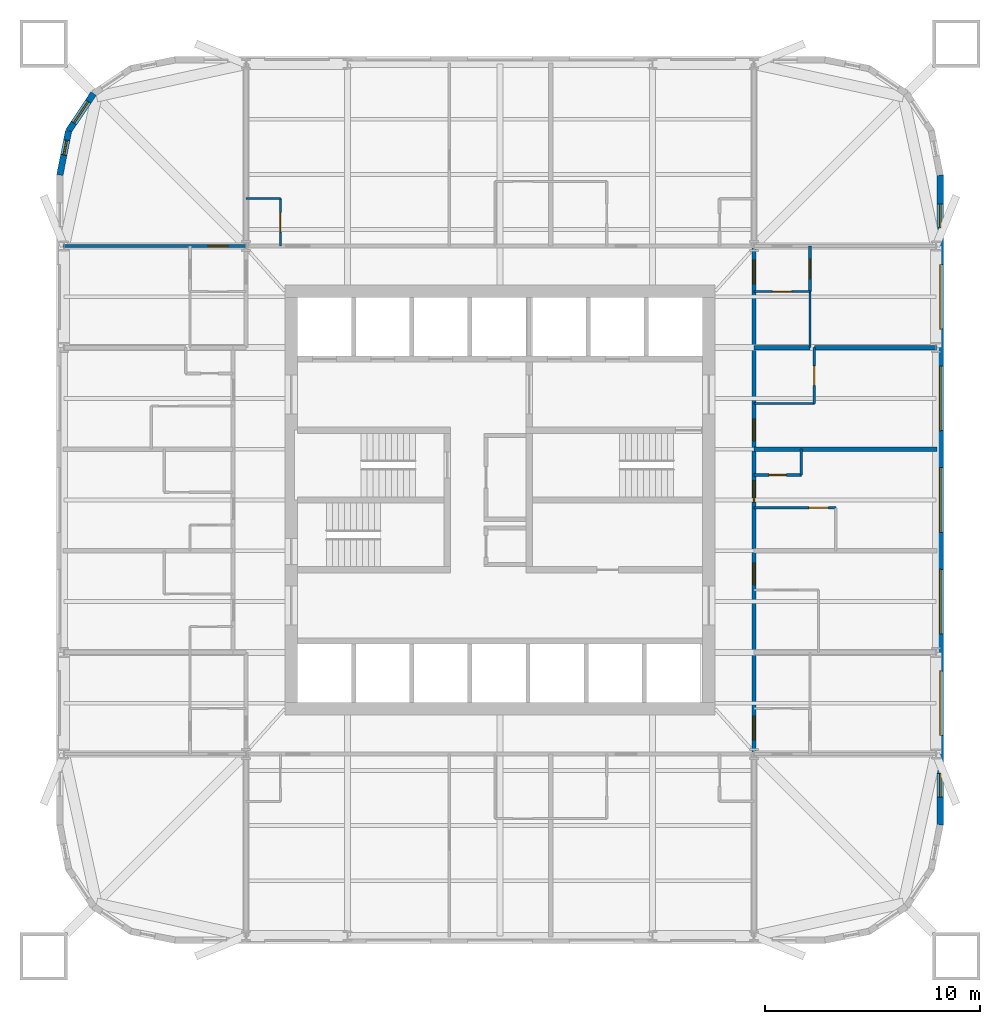
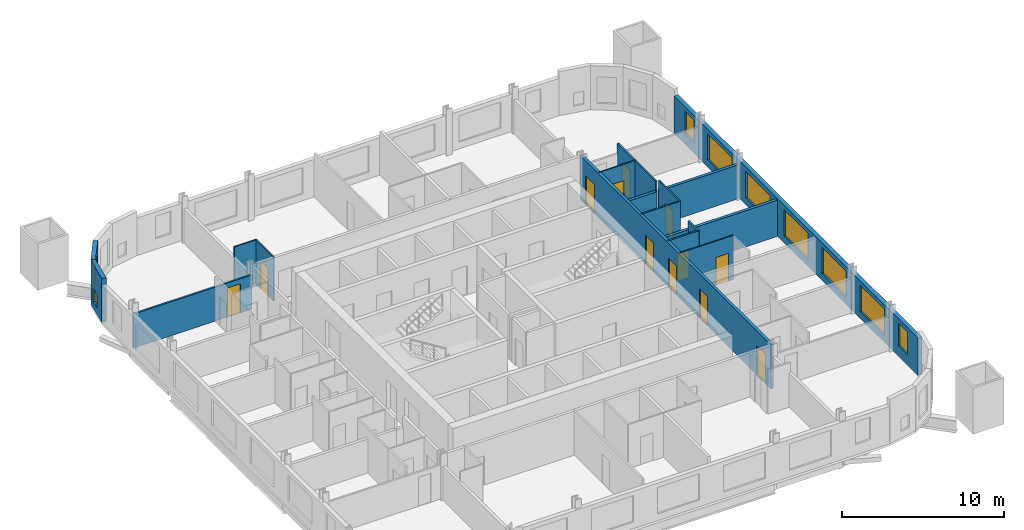
# One storey, part 6 of 9: 18 walls, 12 doors, 9 windows, 21 openings.
"""IFC4 building model written with IfcOpenShell, lengths in metres."""

from ifc_helpers import new_model, si_unit, direction, frame, frame_2d, origin, place, context, subcontext, project, spatial, rectangle, extrude, material, layer, layer_set, type_object, element, fill, save


model = new_model("IFC4")

# Units and contexts
model_context = context("Model", 3, precision=1e-05, world=origin(), true_north=direction((0.0, 1.0)))
body_context = subcontext(model_context, "Body", "Model", "MODEL_VIEW")
ifc_project = project(units=[si_unit("LENGTHUNIT", "METRE"), si_unit("AREAUNIT", "SQUARE_METRE"), si_unit("VOLUMEUNIT", "CUBIC_METRE"), si_unit("PLANEANGLEUNIT", "RADIAN"), si_unit("MASSUNIT", "GRAM", prefix="KILO")], contexts=[model_context])

# Site, building, storey
site_placement = place(None, origin())
site = spatial("IfcSite", under=ifc_project, at=site_placement, CompositionType="ELEMENT")
building_placement = place(site_placement, origin())
building = spatial("IfcBuilding", under=site, at=building_placement, Name="Turquesa Mirador Hotel Tower", CompositionType="ELEMENT")
storey_placement = place(building_placement, frame((0.0, 0.0, 145.89990234375)))
storey = spatial("IfcBuildingStorey", under=building, at=storey_placement, Name="L39", CompositionType="ELEMENT", Elevation=145.89990234375)

# Wall, opening, door
ifc_material_1 = material(Name="Gypsum board on steel studs", Category="steel")
ifc_layer_1 = layer(ifc_material_1, 0.10009765625)
ifc_layer_set_1 = layer_set([ifc_layer_1], Name="BATHROOM WALL 100")
wall_type_1 = type_object("IfcWallType", Name="BATHROOM WALL 100", PredefinedType="PARTITIONING", material=ifc_layer_set_1)
wall_1_placement = place(storey_placement, frame((66.800048828125, 44.639892578125, 0.0), z_axis=(0.0, 0.0, 1.0), x_axis=(1.0, 0.0, 0.0)))
wall_1 = element("IfcWall", 1, at=wall_1_placement, inside=storey, type_object=wall_type_1, Name="Partition L39 001", PredefinedType="PARTITIONING", context=body_context, shape_type="SweptSolid", body=[
    extrude(rectangle(XDim=3.800048828125, YDim=0.10009765625, at=frame_2d((1.89990234375, 0.0))), origin(), (0.0, 0.0, 1.0), 3.330078125),
])
opening_1_placement = place(wall_1_placement, frame((2.550048828125, 0.0, 0.0)))
opening_1 = element("IfcOpeningElement", 2, at=opening_1_placement, cuts=wall_1, Name="Opening D02", PredefinedType="OPENING", context=body_context, shape_type="SweptSolid", body=[
    extrude(rectangle(XDim=0.89990234375, YDim=2.10009765625, at=frame_2d((0.449951171875, 1.050048828125))), frame((0.0, 0.06005859375, 0.0), z_axis=(0.0, -1.0, 0.0), x_axis=(1.0, 0.0, 0.0)), (0.0, 0.0, 1.0), 0.1201171875),
])
ifc_material_2 = material(Name="Timber veneered door", Category="wood")
door_type_1 = type_object("IfcDoorType", Name="DOOR 900X2100 EN-SUITE", OperationType="SINGLE_SWING_RIGHT", PredefinedType="DOOR", material=ifc_material_2)
door_1_placement = place(opening_1_placement, origin())
door_1 = element("IfcDoor", 3, at=door_1_placement, inside=storey, type_object=door_type_1, Name="Door 3906B", OperationType="SINGLE_SWING_RIGHT", OverallHeight=2.10009765625, OverallWidth=0.89990234375, PredefinedType="DOOR", context=body_context, shape_type="SweptSolid", body=[
    extrude(rectangle(XDim=0.89990234375, YDim=2.10009765625, at=frame_2d((0.449951171875, 1.050048828125))), frame((0.0, 0.02490234375, 0.0), z_axis=(0.0, -1.0, 0.0), x_axis=(1.0, 0.0, 0.0)), (0.0, 0.0, 1.0), 0.050048828125),
])
fill(opening_1, door_1)

# Walls
wall_2_placement = place(storey_placement, frame((43.199951171875, 59.0, 0.0), z_axis=(0.0, 0.0, 1.0), x_axis=(1.0, 0.0, 0.0)))
element("IfcWall", 4, at=wall_2_placement, inside=storey, type_object=wall_type_1, Name="Partition L39 024", PredefinedType="PARTITIONING", context=body_context, shape_type="SweptSolid", body=[
    extrude(rectangle(XDim=1.60009765625, YDim=0.10009765625, at=frame_2d((0.800048828125, 0.0))), origin(), (0.0, 0.0, 1.0), 3.330078125),
])
wall_3_placement = place(storey_placement, frame((66.800048828125, 49.47998046875, 0.0), z_axis=(0.0, 0.0, 1.0), x_axis=(1.0, 0.0, 0.0)))
element("IfcWall", 5, at=wall_3_placement, inside=storey, type_object=wall_type_1, Name="Partition L39 030", PredefinedType="PARTITIONING", context=body_context, shape_type="SweptSolid", body=[
    extrude(rectangle(XDim=2.800048828125, YDim=0.10009765625, at=frame_2d((1.39990234375, 0.0))), origin(), (0.0, 0.0, 1.0), 3.330078125),
])

# Wall, opening, door
wall_4_placement = place(storey_placement, frame((66.800048828125, 54.679931640625, 0.0), z_axis=(0.0, 0.0, 1.0), x_axis=(1.0, 0.0, 0.0)))
wall_4 = element("IfcWall", 6, at=wall_4_placement, inside=storey, type_object=wall_type_1, Name="Partition L39 038", PredefinedType="PARTITIONING", context=body_context, shape_type="SweptSolid", body=[
    extrude(rectangle(XDim=2.599853515625, YDim=0.10009765625, at=frame_2d((1.2998046875, 0.0))), origin(), (0.0, 0.0, 1.0), 3.330078125),
])
opening_2_placement = place(wall_4_placement, frame((0.85009765625, 0.0, 0.0)))
opening_2 = element("IfcOpeningElement", 7, at=opening_2_placement, cuts=wall_4, Name="Opening D02", PredefinedType="OPENING", context=body_context, shape_type="SweptSolid", body=[
    extrude(rectangle(XDim=0.89990234375, YDim=2.10009765625, at=frame_2d((0.449951171875, 1.050048828125))), frame((0.0, 0.06005859375, 0.0), z_axis=(0.0, -1.0, 0.0), x_axis=(1.0, 0.0, 0.0)), (0.0, 0.0, 1.0), 0.1201171875),
])
door_2_placement = place(opening_2_placement, origin())
door_2 = element("IfcDoor", 8, at=door_2_placement, inside=storey, type_object=door_type_1, Name="Door 3911B", OperationType="SINGLE_SWING_RIGHT", OverallHeight=2.10009765625, OverallWidth=0.89990234375, PredefinedType="DOOR", context=body_context, shape_type="SweptSolid", body=[
    extrude(rectangle(XDim=0.89990234375, YDim=2.10009765625, at=frame_2d((0.449951171875, 1.050048828125))), frame((0.0, 0.02490234375, 0.0), z_axis=(0.0, -1.0, 0.0), x_axis=(1.0, 0.0, 0.0)), (0.0, 0.0, 1.0), 0.050048828125),
])
fill(opening_2, door_2)

wall_5_placement = place(storey_placement, frame((44.800048828125, 56.800048828125, 0.0), z_axis=(0.0, 0.0, 1.0), x_axis=(0.0, 1.0, 0.0)))
wall_5 = element("IfcWall", 9, at=wall_5_placement, inside=storey, type_object=wall_type_1, Name="Partition L39 042", PredefinedType="PARTITIONING", context=body_context, shape_type="SweptSolid", body=[
    extrude(rectangle(XDim=2.199951171875, YDim=0.10009765625, at=frame_2d((1.10009765625, 0.0))), origin(), (0.0, 0.0, 1.0), 3.330078125),
])
opening_3_placement = place(wall_5_placement, frame((0.64990234375, 0.0, 0.0)))
opening_3 = element("IfcOpeningElement", 10, at=opening_3_placement, cuts=wall_5, Name="Opening D06", PredefinedType="OPENING", context=body_context, shape_type="SweptSolid", body=[
    extrude(rectangle(XDim=0.89990234375, YDim=2.10009765625, at=frame_2d((0.449951171875, 1.050048828125))), frame((0.0, 0.06005859375, 0.0), z_axis=(0.0, -1.0, 0.0), x_axis=(1.0, 0.0, 0.0)), (0.0, 0.0, 1.0), 0.1201171875),
])
ifc_material_3 = material(Name="Laminate door", Category="wood")
door_type_2 = type_object("IfcDoorType", Name="DOOR 900X2100 WC", OperationType="SINGLE_SWING_LEFT", PredefinedType="DOOR", material=ifc_material_3)
door_3_placement = place(opening_3_placement, origin())
door_3 = element("IfcDoor", 11, at=door_3_placement, inside=storey, type_object=door_type_2, Name="Door 3901W", OperationType="SINGLE_SWING_LEFT", OverallHeight=2.10009765625, OverallWidth=0.89990234375, PredefinedType="DOOR", context=body_context, shape_type="SweptSolid", body=[
    extrude(rectangle(XDim=0.89990234375, YDim=2.10009765625, at=frame_2d((0.449951171875, 1.050048828125))), frame((0.0, 0.02490234375, 0.0), z_axis=(0.0, -1.0, 0.0), x_axis=(1.0, 0.0, 0.0)), (0.0, 0.0, 1.0), 0.050048828125),
])
fill(opening_3, door_3)

# Wall
wall_6_placement = place(storey_placement, frame((69.39990234375, 52.080078125, 0.0), z_axis=(0.0, 0.0, 1.0), x_axis=(0.0, 1.0, 0.0)))
element("IfcWall", 12, at=wall_6_placement, inside=storey, type_object=wall_type_1, Name="Partition L39 066", PredefinedType="PARTITIONING", context=body_context, shape_type="SweptSolid", body=[
    extrude(rectangle(XDim=2.599853515625, YDim=0.10009765625, at=frame_2d((1.2998046875, 0.0))), origin(), (0.0, 0.0, 1.0), 3.330078125),
])

# Wall, opening, door
wall_7_placement = place(storey_placement, frame((69.60009765625, 49.47998046875, 0.0), z_axis=(0.0, 0.0, 1.0), x_axis=(0.0, 1.0, 0.0)))
wall_7 = element("IfcWall", 13, at=wall_7_placement, inside=storey, type_object=wall_type_1, Name="Partition L39 069", PredefinedType="PARTITIONING", context=body_context, shape_type="SweptSolid", body=[
    extrude(rectangle(XDim=2.60009765625, YDim=0.10009765625, at=frame_2d((1.300048828125, 0.0))), origin(), (0.0, 0.0, 1.0), 3.330078125),
])
opening_4_placement = place(wall_7_placement, frame((0.85009765625, 0.0, 0.0)))
opening_4 = element("IfcOpeningElement", 14, at=opening_4_placement, cuts=wall_7, Name="Opening D02", PredefinedType="OPENING", context=body_context, shape_type="SweptSolid", body=[
    extrude(rectangle(XDim=0.89990234375, YDim=2.10009765625, at=frame_2d((0.449951171875, 1.050048828125))), frame((0.0, 0.06005859375, 0.0), z_axis=(0.0, -1.0, 0.0), x_axis=(1.0, 0.0, 0.0)), (0.0, 0.0, 1.0), 0.1201171875),
])
door_4_placement = place(opening_4_placement, origin())
door_4 = element("IfcDoor", 15, at=door_4_placement, inside=storey, type_object=door_type_1, Name="Door 3907B", OperationType="SINGLE_SWING_RIGHT", OverallHeight=2.10009765625, OverallWidth=0.89990234375, PredefinedType="DOOR", context=body_context, shape_type="SweptSolid", body=[
    extrude(rectangle(XDim=0.89990234375, YDim=2.10009765625, at=frame_2d((0.449951171875, 1.050048828125))), frame((0.0, 0.02490234375, 0.0), z_axis=(0.0, -1.0, 0.0), x_axis=(1.0, 0.0, 0.0)), (0.0, 0.0, 1.0), 0.050048828125),
])
fill(opening_4, door_4)

# Wall, openings, doors
ifc_material_4 = material(Name="Fire-rated gypsum board on steel studs", Category="steel")
ifc_layer_2 = layer(ifc_material_4, 0.199951171875)
ifc_layer_set_2 = layer_set([ifc_layer_2], Name="CORRIDOR WALL 200")
wall_type_2 = type_object("IfcWallType", Name="CORRIDOR WALL 200", PredefinedType="PARTITIONING", material=ifc_layer_set_2)
wall_8_placement = place(storey_placement, frame((66.800048828125, 33.199951171875, 0.0), z_axis=(0.0, 0.0, 1.0), x_axis=(0.0, 1.0, 0.0)))
wall_8 = element("IfcWall", 16, at=wall_8_placement, inside=storey, type_object=wall_type_2, Name="Partition L39 061", PredefinedType="PARTITIONING", context=body_context, shape_type="SweptSolid", body=[
    extrude(rectangle(XDim=23.60009765625, YDim=0.199951171875, at=frame_2d((11.800048828125, 0.0))), origin(), (0.0, 0.0, 1.0), 3.330078125),
])
opening_5_placement = place(wall_8_placement, frame((7.8701171875, 0.0, 0.0)))
opening_5 = element("IfcOpeningElement", 17, at=opening_5_placement, cuts=wall_8, Name="Opening D01", PredefinedType="OPENING", context=body_context, shape_type="SweptSolid", body=[
    extrude(rectangle(XDim=1.0, YDim=2.199951171875, at=frame_2d((0.5, 1.10009765625))), frame((0.0, 0.10986328125, 0.0), z_axis=(0.0, -1.0, 0.0), x_axis=(1.0, 0.0, 0.0)), (0.0, 0.0, 1.0), 0.219970703125),
])
opening_6_placement = place(wall_8_placement, frame((11.699951171875, 0.0, 0.0)))
opening_6 = element("IfcOpeningElement", 18, at=opening_6_placement, cuts=wall_8, Name="Opening D01", PredefinedType="OPENING", context=body_context, shape_type="SweptSolid", body=[
    extrude(rectangle(XDim=1.0, YDim=2.199951171875, at=frame_2d((0.5, 1.10009765625))), frame((0.0, 0.10986328125, 0.0), z_axis=(0.0, -1.0, 0.0), x_axis=(1.0, 0.0, 0.0)), (0.0, 0.0, 1.0), 0.219970703125),
])
opening_7_placement = place(wall_8_placement, frame((14.56005859375, 0.0, 0.0)))
opening_7 = element("IfcOpeningElement", 19, at=opening_7_placement, cuts=wall_8, Name="Opening D01", PredefinedType="OPENING", context=body_context, shape_type="SweptSolid", body=[
    extrude(rectangle(XDim=1.0, YDim=2.199951171875, at=frame_2d((0.5, 1.10009765625))), frame((0.0, 0.10986328125, 0.0), z_axis=(0.0, -1.0, 0.0), x_axis=(1.0, 0.0, 0.0)), (0.0, 0.0, 1.0), 0.219970703125),
])
opening_8_placement = place(wall_8_placement, frame((21.840087890625, 0.0, 0.0)))
opening_8 = element("IfcOpeningElement", 20, at=opening_8_placement, cuts=wall_8, Name="Opening D15", PredefinedType="OPENING", context=body_context, shape_type="SweptSolid", body=[
    extrude(rectangle(XDim=1.10009765625, YDim=2.199951171875, at=frame_2d((0.550048828125, 1.10009765625))), frame((0.0, 0.10986328125, 0.0), z_axis=(0.0, -1.0, 0.0), x_axis=(1.0, 0.0, 0.0)), (0.0, 0.0, 1.0), 0.219970703125),
])
opening_9_placement = place(wall_8_placement, frame((0.659912109375, 0.0, 0.0)))
opening_9 = element("IfcOpeningElement", 21, at=opening_9_placement, cuts=wall_8, Name="Opening D15", PredefinedType="OPENING", context=body_context, shape_type="SweptSolid", body=[
    extrude(rectangle(XDim=1.10009765625, YDim=2.199951171875, at=frame_2d((0.550048828125, 1.10009765625))), frame((0.0, 0.10986328125, 0.0), z_axis=(0.0, -1.0, 0.0), x_axis=(1.0, 0.0, 0.0)), (0.0, 0.0, 1.0), 0.219970703125),
])
ifc_material_5 = material(Name="Timber veneered fire door", Category="wood")
door_type_3 = type_object("IfcDoorType", Name="DOOR 1000X2200 GUEST ENTRY", OperationType="SINGLE_SWING_LEFT", PredefinedType="DOOR", material=ifc_material_5)
door_5_placement = place(opening_5_placement, origin())
door_5 = element("IfcDoor", 22, at=door_5_placement, inside=storey, type_object=door_type_3, Name="Door 3905", OperationType="SINGLE_SWING_LEFT", OverallHeight=2.199951171875, OverallWidth=1.0, PredefinedType="DOOR", context=body_context, shape_type="SweptSolid", body=[
    extrude(rectangle(XDim=1.0, YDim=2.199951171875, at=frame_2d((0.5, 1.10009765625))), frame((0.0, 0.02490234375, 0.0), z_axis=(0.0, -1.0, 0.0), x_axis=(1.0, 0.0, 0.0)), (0.0, 0.0, 1.0), 0.050048828125),
])
fill(opening_5, door_5)
door_6_placement = place(opening_6_placement, origin())
door_6 = element("IfcDoor", 23, at=door_6_placement, inside=storey, type_object=door_type_3, Name="Door 3906", OperationType="SINGLE_SWING_LEFT", OverallHeight=2.199951171875, OverallWidth=1.0, PredefinedType="DOOR", context=body_context, shape_type="SweptSolid", body=[
    extrude(rectangle(XDim=1.0, YDim=2.199951171875, at=frame_2d((0.5, 1.10009765625))), frame((0.0, 0.02490234375, 0.0), z_axis=(0.0, -1.0, 0.0), x_axis=(1.0, 0.0, 0.0)), (0.0, 0.0, 1.0), 0.050048828125),
])
fill(opening_6, door_6)
door_7_placement = place(opening_7_placement, origin())
door_7 = element("IfcDoor", 24, at=door_7_placement, inside=storey, type_object=door_type_3, Name="Door 3907", OperationType="SINGLE_SWING_LEFT", OverallHeight=2.199951171875, OverallWidth=1.0, PredefinedType="DOOR", context=body_context, shape_type="SweptSolid", body=[
    extrude(rectangle(XDim=1.0, YDim=2.199951171875, at=frame_2d((0.5, 1.10009765625))), frame((0.0, 0.02490234375, 0.0), z_axis=(0.0, -1.0, 0.0), x_axis=(1.0, 0.0, 0.0)), (0.0, 0.0, 1.0), 0.050048828125),
])
fill(opening_7, door_7)
ifc_material_6 = material(Name="Timber veneered fire door", Category="wood")
door_type_4 = type_object("IfcDoorType", Name="DOOR 1100X2200 SUITE ENTRY", OperationType="SINGLE_SWING_LEFT", PredefinedType="DOOR", material=ifc_material_6)
door_8_placement = place(opening_8_placement, origin())
door_8 = element("IfcDoor", 25, at=door_8_placement, inside=storey, type_object=door_type_4, Name="Door 3911H", OperationType="SINGLE_SWING_LEFT", OverallHeight=2.199951171875, OverallWidth=1.10009765625, PredefinedType="DOOR", context=body_context, shape_type="SweptSolid", body=[
    extrude(rectangle(XDim=1.10009765625, YDim=2.199951171875, at=frame_2d((0.550048828125, 1.10009765625))), frame((0.0, 0.02490234375, 0.0), z_axis=(0.0, -1.0, 0.0), x_axis=(1.0, 0.0, 0.0)), (0.0, 0.0, 1.0), 0.050048828125),
])
fill(opening_8, door_8)
door_9_placement = place(opening_9_placement, origin())
door_9 = element("IfcDoor", 26, at=door_9_placement, inside=storey, type_object=door_type_4, Name="Door 3914H", OperationType="SINGLE_SWING_LEFT", OverallHeight=2.199951171875, OverallWidth=1.10009765625, PredefinedType="DOOR", context=body_context, shape_type="SweptSolid", body=[
    extrude(rectangle(XDim=1.10009765625, YDim=2.199951171875, at=frame_2d((0.550048828125, 1.10009765625))), frame((0.0, 0.02490234375, 0.0), z_axis=(0.0, -1.0, 0.0), x_axis=(1.0, 0.0, 0.0)), (0.0, 0.0, 1.0), 0.050048828125),
])
fill(opening_9, door_9)

# Wall, openings, windows
ifc_material_7 = material(Name="Limestone cladding on concrete block", Category="masonry")
ifc_layer_3 = layer(ifc_material_7, 0.300048828125)
ifc_layer_set_3 = layer_set([ifc_layer_3], Name="FACADE WALL 300 STONE SCREEN")
wall_type_3 = type_object("IfcWallType", Name="FACADE WALL 300 STONE SCREEN", PredefinedType="SOLIDWALL", material=ifc_layer_set_3)
wall_9_placement = place(storey_placement, frame((75.449951171875, 29.89990234375, 0.0), z_axis=(0.0, 0.0, 1.0), x_axis=(0.0, 1.0, 0.0)))
wall_9 = element("IfcWall", 27, at=wall_9_placement, inside=storey, type_object=wall_type_3, Name="Facade wall L39 04", PredefinedType="SOLIDWALL", context=body_context, shape_type="SweptSolid", body=[
    extrude(rectangle(XDim=30.2001953125, YDim=0.300048828125, at=frame_2d((15.10009765625, 0.0))), origin(), (0.0, 0.0, 1.0), 2.830078125),
])
opening_10_placement = place(wall_9_placement, frame((1.300048828125, 0.0, 0.800048828125)))
opening_10 = element("IfcOpeningElement", 28, at=opening_10_placement, cuts=wall_9, Name="Opening WN26", PredefinedType="OPENING", context=body_context, shape_type="SweptSolid", body=[
    extrude(rectangle(XDim=1.10009765625, YDim=1.699951171875, at=frame_2d((0.550048828125, 0.85009765625))), frame((0.0, 0.159912109375, 0.0), z_axis=(0.0, -1.0, 0.0), x_axis=(1.0, 0.0, 0.0)), (0.0, 0.0, 1.0), 0.320068359375),
])
opening_11_placement = place(wall_9_placement, frame((4.159912109375, 0.0, 0.5)))
opening_11 = element("IfcOpeningElement", 29, at=opening_11_placement, cuts=wall_9, Name="Opening WN1", PredefinedType="OPENING", context=body_context, shape_type="SweptSolid", body=[
    extrude(rectangle(XDim=3.0, YDim=2.0, at=frame_2d((1.5, 1.0))), frame((0.0, 0.159912109375, 0.0), z_axis=(0.0, -1.0, 0.0), x_axis=(1.0, 0.0, 0.0)), (0.0, 0.0, 1.0), 0.320068359375),
])
opening_12_placement = place(wall_9_placement, frame((8.8798828125, 0.0, 0.5)))
opening_12 = element("IfcOpeningElement", 30, at=opening_12_placement, cuts=wall_9, Name="Opening WN1", PredefinedType="OPENING", context=body_context, shape_type="SweptSolid", body=[
    extrude(rectangle(XDim=3.0, YDim=2.0, at=frame_2d((1.5, 1.0))), frame((0.0, 0.159912109375, 0.0), z_axis=(0.0, -1.0, 0.0), x_axis=(1.0, 0.0, 0.0)), (0.0, 0.0, 1.0), 0.320068359375),
])
opening_13_placement = place(wall_9_placement, frame((13.60009765625, 0.0, 0.5)))
opening_13 = element("IfcOpeningElement", 31, at=opening_13_placement, cuts=wall_9, Name="Opening WN1", PredefinedType="OPENING", context=body_context, shape_type="SweptSolid", body=[
    extrude(rectangle(XDim=3.0, YDim=2.0, at=frame_2d((1.5, 1.0))), frame((0.0, 0.159912109375, 0.0), z_axis=(0.0, -1.0, 0.0), x_axis=(1.0, 0.0, 0.0)), (0.0, 0.0, 1.0), 0.320068359375),
])
opening_14_placement = place(wall_9_placement, frame((18.320068359375, 0.0, 0.5)))
opening_14 = element("IfcOpeningElement", 32, at=opening_14_placement, cuts=wall_9, Name="Opening WN1", PredefinedType="OPENING", context=body_context, shape_type="SweptSolid", body=[
    extrude(rectangle(XDim=3.0, YDim=2.0, at=frame_2d((1.5, 1.0))), frame((0.0, 0.159912109375, 0.0), z_axis=(0.0, -1.0, 0.0), x_axis=(1.0, 0.0, 0.0)), (0.0, 0.0, 1.0), 0.320068359375),
])
opening_15_placement = place(wall_9_placement, frame((23.0400390625, 0.0, 0.5)))
opening_15 = element("IfcOpeningElement", 33, at=opening_15_placement, cuts=wall_9, Name="Opening WN1", PredefinedType="OPENING", context=body_context, shape_type="SweptSolid", body=[
    extrude(rectangle(XDim=3.0, YDim=2.0, at=frame_2d((1.5, 1.0))), frame((0.0, 0.159912109375, 0.0), z_axis=(0.0, -1.0, 0.0), x_axis=(1.0, 0.0, 0.0)), (0.0, 0.0, 1.0), 0.320068359375),
])
opening_16_placement = place(wall_9_placement, frame((27.75, 0.0, 0.800048828125)))
opening_16 = element("IfcOpeningElement", 34, at=opening_16_placement, cuts=wall_9, Name="Opening WN26", PredefinedType="OPENING", context=body_context, shape_type="SweptSolid", body=[
    extrude(rectangle(XDim=1.10009765625, YDim=1.699951171875, at=frame_2d((0.550048828125, 0.85009765625))), frame((0.0, 0.159912109375, 0.0), z_axis=(0.0, -1.0, 0.0), x_axis=(1.0, 0.0, 0.0)), (0.0, 0.0, 1.0), 0.320068359375),
])
ifc_material_8 = material(Name="Ceramic-fritted laminated glass", Category="glass")
window_type_1 = type_object("IfcWindowType", Name="FRITTED WINDOW 1100X1700", PartitioningType="DOUBLE_PANEL_HORIZONTAL", PredefinedType="WINDOW", material=ifc_material_8)
window_1_placement = place(opening_10_placement, origin())
window_1 = element("IfcWindow", 35, at=window_1_placement, inside=storey, type_object=window_type_1, Name="Window L39", OverallHeight=1.699951171875, OverallWidth=1.10009765625, PartitioningType="SINGLE_PANEL", PredefinedType="WINDOW", context=body_context, shape_type="SweptSolid", body=[
    extrude(rectangle(XDim=1.10009765625, YDim=1.699951171875, at=frame_2d((0.550048828125, 0.85009765625))), frame((0.0, 0.030029296875, 0.0), z_axis=(0.0, -1.0, 0.0), x_axis=(1.0, 0.0, 0.0)), (0.0, 0.0, 1.0), 0.06005859375),
])
fill(opening_10, window_1)
window_2_placement = place(opening_16_placement, origin())
window_2 = element("IfcWindow", 36, at=window_2_placement, inside=storey, type_object=window_type_1, Name="Window L39", OverallHeight=1.699951171875, OverallWidth=1.10009765625, PartitioningType="SINGLE_PANEL", PredefinedType="WINDOW", context=body_context, shape_type="SweptSolid", body=[
    extrude(rectangle(XDim=1.10009765625, YDim=1.699951171875, at=frame_2d((0.550048828125, 0.85009765625))), frame((0.0, 0.030029296875, 0.0), z_axis=(0.0, -1.0, 0.0), x_axis=(1.0, 0.0, 0.0)), (0.0, 0.0, 1.0), 0.06005859375),
])
fill(opening_16, window_2)
ifc_material_9 = material(Name="Ceramic-fritted laminated glass", Category="glass")
window_type_2 = type_object("IfcWindowType", Name="FRITTED WINDOW 3000X2000", PartitioningType="DOUBLE_PANEL_HORIZONTAL", PredefinedType="WINDOW", material=ifc_material_9)
window_3_placement = place(opening_11_placement, origin())
window_3 = element("IfcWindow", 37, at=window_3_placement, inside=storey, type_object=window_type_2, Name="Window L39", OverallHeight=2.0, OverallWidth=3.0, PartitioningType="SINGLE_PANEL", PredefinedType="WINDOW", context=body_context, shape_type="SweptSolid", body=[
    extrude(rectangle(XDim=3.0, YDim=2.0, at=frame_2d((1.5, 1.0))), frame((0.0, 0.030029296875, 0.0), z_axis=(0.0, -1.0, 0.0), x_axis=(1.0, 0.0, 0.0)), (0.0, 0.0, 1.0), 0.06005859375),
])
fill(opening_11, window_3)
window_4_placement = place(opening_12_placement, origin())
window_4 = element("IfcWindow", 38, at=window_4_placement, inside=storey, type_object=window_type_2, Name="Window L39", OverallHeight=2.0, OverallWidth=3.0, PartitioningType="SINGLE_PANEL", PredefinedType="WINDOW", context=body_context, shape_type="SweptSolid", body=[
    extrude(rectangle(XDim=3.0, YDim=2.0, at=frame_2d((1.5, 1.0))), frame((0.0, 0.030029296875, 0.0), z_axis=(0.0, -1.0, 0.0), x_axis=(1.0, 0.0, 0.0)), (0.0, 0.0, 1.0), 0.06005859375),
])
fill(opening_12, window_4)
window_5_placement = place(opening_13_placement, origin())
window_5 = element("IfcWindow", 39, at=window_5_placement, inside=storey, type_object=window_type_2, Name="Window L39", OverallHeight=2.0, OverallWidth=3.0, PartitioningType="SINGLE_PANEL", PredefinedType="WINDOW", context=body_context, shape_type="SweptSolid", body=[
    extrude(rectangle(XDim=3.0, YDim=2.0, at=frame_2d((1.5, 1.0))), frame((0.0, 0.030029296875, 0.0), z_axis=(0.0, -1.0, 0.0), x_axis=(1.0, 0.0, 0.0)), (0.0, 0.0, 1.0), 0.06005859375),
])
fill(opening_13, window_5)
window_6_placement = place(opening_14_placement, origin())
window_6 = element("IfcWindow", 40, at=window_6_placement, inside=storey, type_object=window_type_2, Name="Window L39", OverallHeight=2.0, OverallWidth=3.0, PartitioningType="SINGLE_PANEL", PredefinedType="WINDOW", context=body_context, shape_type="SweptSolid", body=[
    extrude(rectangle(XDim=3.0, YDim=2.0, at=frame_2d((1.5, 1.0))), frame((0.0, 0.030029296875, 0.0), z_axis=(0.0, -1.0, 0.0), x_axis=(1.0, 0.0, 0.0)), (0.0, 0.0, 1.0), 0.06005859375),
])
fill(opening_14, window_6)
window_7_placement = place(opening_15_placement, origin())
window_7 = element("IfcWindow", 41, at=window_7_placement, inside=storey, type_object=window_type_2, Name="Window L39", OverallHeight=2.0, OverallWidth=3.0, PartitioningType="SINGLE_PANEL", PredefinedType="WINDOW", context=body_context, shape_type="SweptSolid", body=[
    extrude(rectangle(XDim=3.0, YDim=2.0, at=frame_2d((1.5, 1.0))), frame((0.0, 0.030029296875, 0.0), z_axis=(0.0, -1.0, 0.0), x_axis=(1.0, 0.0, 0.0)), (0.0, 0.0, 1.0), 0.06005859375),
])
fill(opening_15, window_7)

# Wall, opening, window
wall_10_placement = place(storey_placement, frame((36.116943359375, 63.883056640625, 0.0), z_axis=(0.0, 0.0, 1.0), x_axis=(-0.555563607591, -0.831474039234, 0.0)))
wall_10 = element("IfcWall", 42, at=wall_10_placement, inside=storey, type_object=wall_type_3, Name="Facade wall L39 12", PredefinedType="SOLIDWALL", context=body_context, shape_type="SweptSolid", body=[
    extrude(rectangle(XDim=2.08740234375, YDim=0.300048828125, at=frame_2d((1.043701171875, 0.0))), origin(), (0.0, 0.0, 1.0), 3.330078125),
])
opening_17_placement = place(wall_10_placement, frame((0.443603515625, 0.0, 0.5)))
opening_17 = element("IfcOpeningElement", 43, at=opening_17_placement, cuts=wall_10, Name="Opening WN4", PredefinedType="OPENING", context=body_context, shape_type="SweptSolid", body=[
    extrude(rectangle(XDim=1.199951171875, YDim=2.0, at=frame_2d((0.60009765625, 1.0))), frame((0.0, 0.159912109375, 0.0), z_axis=(0.0, -1.0, 0.0), x_axis=(1.0, 0.0, 0.0)), (0.0, 0.0, 1.0), 0.320068359375),
])
ifc_material_10 = material(Name="Ceramic-fritted laminated glass", Category="glass")
window_type_3 = type_object("IfcWindowType", Name="FRITTED CORNER WINDOW 1200X2000", PartitioningType="DOUBLE_PANEL_HORIZONTAL", PredefinedType="WINDOW", material=ifc_material_10)
window_8_placement = place(opening_17_placement, origin())
window_8 = element("IfcWindow", 44, at=window_8_placement, inside=storey, type_object=window_type_3, Name="Window L39", OverallHeight=2.0, OverallWidth=1.199951171875, PartitioningType="SINGLE_PANEL", PredefinedType="WINDOW", context=body_context, shape_type="SweptSolid", body=[
    extrude(rectangle(XDim=1.199951171875, YDim=2.0, at=frame_2d((0.60009765625, 1.0))), frame((0.0, 0.030029296875, 0.0), z_axis=(0.0, -1.0, 0.0), x_axis=(1.0, 0.0, 0.0)), (0.0, 0.0, 1.0), 0.06005859375),
])
fill(opening_17, window_8)

wall_11_placement = place(storey_placement, frame((34.957275390625, 62.1474609375, 0.0), z_axis=(0.0, 0.0, 1.0), x_axis=(-0.195081421501, -0.980787050784, 0.0)))
wall_11 = element("IfcWall", 45, at=wall_11_placement, inside=storey, type_object=wall_type_3, Name="Facade wall L39 13", PredefinedType="SOLIDWALL", context=body_context, shape_type="SweptSolid", body=[
    extrude(rectangle(XDim=2.08740234375, YDim=0.300048828125, at=frame_2d((1.043701171875, 0.0))), origin(), (0.0, 0.0, 1.0), 3.330078125),
])
opening_18_placement = place(wall_11_placement, frame((0.443603515625, 0.0, 0.5)))
opening_18 = element("IfcOpeningElement", 46, at=opening_18_placement, cuts=wall_11, Name="Opening WN15", PredefinedType="OPENING", context=body_context, shape_type="SweptSolid", body=[
    extrude(rectangle(XDim=0.699951171875, YDim=1.0, at=frame_2d((0.35009765625, 0.5))), frame((0.0, 0.159912109375, 0.0), z_axis=(0.0, -1.0, 0.0), x_axis=(1.0, 0.0, 0.0)), (0.0, 0.0, 1.0), 0.320068359375),
])
ifc_material_11 = material(Name="Ceramic-fritted laminated glass", Category="glass")
window_type_4 = type_object("IfcWindowType", Name="FRITTED CORNER WINDOW 700X1000", PartitioningType="DOUBLE_PANEL_HORIZONTAL", PredefinedType="WINDOW", material=ifc_material_11)
window_9_placement = place(opening_18_placement, origin())
window_9 = element("IfcWindow", 47, at=window_9_placement, inside=storey, type_object=window_type_4, Name="Window L39", OverallHeight=1.0, OverallWidth=0.699951171875, PartitioningType="SINGLE_PANEL", PredefinedType="WINDOW", context=body_context, shape_type="SweptSolid", body=[
    extrude(rectangle(XDim=0.699951171875, YDim=1.0, at=frame_2d((0.35009765625, 0.5))), frame((0.0, 0.030029296875, 0.0), z_axis=(0.0, -1.0, 0.0), x_axis=(1.0, 0.0, 0.0)), (0.0, 0.0, 1.0), 0.06005859375),
])
fill(opening_18, window_9)

# Walls
ifc_material_12 = material(Name="Fire-rated gypsum board on steel studs", Category="steel")
ifc_layer_4 = layer(ifc_material_12, 0.199951171875)
ifc_layer_set_4 = layer_set([ifc_layer_4], Name="PARTY WALL 200")
wall_type_4 = type_object("IfcWallType", Name="PARTY WALL 200", PredefinedType="PARTITIONING", material=ifc_layer_set_4)
wall_12_placement = place(storey_placement, frame((66.800048828125, 47.360107421875, 0.0), z_axis=(0.0, 0.0, 1.0), x_axis=(1.0, 0.0, 0.0)))
element("IfcWall", 48, at=wall_12_placement, inside=storey, type_object=wall_type_4, Name="Partition L39 028", PredefinedType="PARTITIONING", context=body_context, shape_type="SweptSolid", body=[
    extrude(rectangle(XDim=8.5, YDim=0.199951171875, at=frame_2d((4.25, 0.0))), origin(), (0.0, 0.0, 1.0), 2.730712890625),
])
wall_13_placement = place(storey_placement, frame((66.800048828125, 52.080078125, 0.0), z_axis=(0.0, 0.0, 1.0), x_axis=(1.0, 0.0, 0.0)))
element("IfcWall", 49, at=wall_13_placement, inside=storey, type_object=wall_type_4, Name="Partition L39 035", PredefinedType="PARTITIONING", context=body_context, shape_type="SweptSolid", body=[
    extrude(rectangle(XDim=2.599853515625, YDim=0.199951171875, at=frame_2d((1.2998046875, 0.0))), origin(), (0.0, 0.0, 1.0), 2.5732421875),
])
wall_14_placement = place(storey_placement, frame((69.60009765625, 52.080078125, 0.0), z_axis=(0.0, 0.0, 1.0), x_axis=(1.0, 0.0, 0.0)))
element("IfcWall", 50, at=wall_14_placement, inside=storey, type_object=wall_type_4, Name="Partition L39 036", PredefinedType="PARTITIONING", context=body_context, shape_type="SweptSolid", body=[
    extrude(rectangle(XDim=5.699951171875, YDim=0.199951171875, at=frame_2d((2.85009765625, 0.0))), origin(), (0.0, 0.0, 1.0), 2.5732421875),
])

# Wall, opening, door
ifc_material_13 = material(Name="Acoustic gypsum board on steel studs", Category="steel")
ifc_layer_5 = layer(ifc_material_13, 0.125)
ifc_layer_set_5 = layer_set([ifc_layer_5], Name="SUITE PARTITION 125")
wall_type_5 = type_object("IfcWallType", Name="SUITE PARTITION 125", PredefinedType="PARTITIONING", material=ifc_layer_set_5)
wall_15_placement = place(storey_placement, frame((66.800048828125, 46.159912109375, 0.0), z_axis=(0.0, 0.0, 1.0), x_axis=(1.0, 0.0, 0.0)))
wall_15 = element("IfcWall", 51, at=wall_15_placement, inside=storey, type_object=wall_type_5, Name="Partition L39 020", PredefinedType="PARTITIONING", context=body_context, shape_type="SweptSolid", body=[
    extrude(rectangle(XDim=2.199951171875, YDim=0.125, at=frame_2d((1.10009765625, 0.0))), origin(), (0.0, 0.0, 1.0), 3.330078125),
])
opening_19_placement = place(wall_15_placement, frame((0.699951171875, 0.0, 0.0)))
opening_19 = element("IfcOpeningElement", 52, at=opening_19_placement, cuts=wall_15, Name="Opening D20", PredefinedType="OPENING", context=body_context, shape_type="SweptSolid", body=[
    extrude(rectangle(XDim=0.800048828125, YDim=2.10009765625, at=frame_2d((0.39990234375, 1.050048828125))), frame((0.0, 0.072509765625, 0.0), z_axis=(0.0, -1.0, 0.0), x_axis=(1.0, 0.0, 0.0)), (0.0, 0.0, 1.0), 0.14501953125),
])
ifc_material_14 = material(Name="Timber veneered sliding door", Category="wood")
door_type_5 = type_object("IfcDoorType", Name="DOOR 800X2100 WARDROBE", OperationType="SLIDING_TO_LEFT", PredefinedType="DOOR", material=ifc_material_14)
door_10_placement = place(opening_19_placement, origin())
door_10 = element("IfcDoor", 53, at=door_10_placement, inside=storey, type_object=door_type_5, Name="Door 3906W", OperationType="SLIDING_TO_LEFT", OverallHeight=2.10009765625, OverallWidth=0.800048828125, PredefinedType="DOOR", context=body_context, shape_type="SweptSolid", body=[
    extrude(rectangle(XDim=0.800048828125, YDim=2.10009765625, at=frame_2d((0.39990234375, 1.050048828125))), frame((0.0, 0.02490234375, 0.0), z_axis=(0.0, -1.0, 0.0), x_axis=(1.0, 0.0, 0.0)), (0.0, 0.0, 1.0), 0.050048828125),
])
fill(opening_19, door_10)

wall_16_placement = place(storey_placement, frame((34.699951171875, 56.800048828125, 0.0), z_axis=(0.0, 0.0, 1.0), x_axis=(1.0, 0.0, 0.0)))
wall_16 = element("IfcWall", 54, at=wall_16_placement, inside=storey, type_object=wall_type_5, Name="Partition L39 022", PredefinedType="PARTITIONING", context=body_context, shape_type="SweptSolid", body=[
    extrude(rectangle(XDim=8.5, YDim=0.125, at=frame_2d((4.25, 0.0))), origin(), (0.0, 0.0, 1.0), 2.5732421875),
])
opening_20_placement = place(wall_16_placement, frame((6.75, 0.0, 0.0)))
opening_20 = element("IfcOpeningElement", 55, at=opening_20_placement, cuts=wall_16, Name="Opening D17", PredefinedType="OPENING", context=body_context, shape_type="SweptSolid", body=[
    extrude(rectangle(XDim=0.89990234375, YDim=2.199951171875, at=frame_2d((0.449951171875, 1.10009765625))), frame((0.0, 0.072509765625, 0.0), z_axis=(0.0, -1.0, 0.0), x_axis=(1.0, 0.0, 0.0)), (0.0, 0.0, 1.0), 0.14501953125),
])
ifc_material_15 = material(Name="Timber veneered door", Category="wood")
door_type_6 = type_object("IfcDoorType", Name="DOOR 900X2200 SUITE INTERNAL", OperationType="SINGLE_SWING_LEFT", PredefinedType="DOOR", material=ifc_material_15)
door_11_placement = place(opening_20_placement, origin())
door_11 = element("IfcDoor", 56, at=door_11_placement, inside=storey, type_object=door_type_6, Name="Door 3912", OperationType="SINGLE_SWING_LEFT", OverallHeight=2.199951171875, OverallWidth=0.89990234375, PredefinedType="DOOR", context=body_context, shape_type="SweptSolid", body=[
    extrude(rectangle(XDim=0.89990234375, YDim=2.199951171875, at=frame_2d((0.449951171875, 1.10009765625))), frame((0.0, 0.02490234375, 0.0), z_axis=(0.0, -1.0, 0.0), x_axis=(1.0, 0.0, 0.0)), (0.0, 0.0, 1.0), 0.050048828125),
])
fill(opening_20, door_11)

# Wall
wall_17_placement = place(storey_placement, frame((69.0, 46.159912109375, 0.0), z_axis=(0.0, 0.0, 1.0), x_axis=(0.0, 1.0, 0.0)))
element("IfcWall", 57, at=wall_17_placement, inside=storey, type_object=wall_type_5, Name="Partition L39 064", PredefinedType="PARTITIONING", context=body_context, shape_type="SweptSolid", body=[
    extrude(rectangle(XDim=1.2001953125, YDim=0.125, at=frame_2d((0.60009765625, 0.0))), origin(), (0.0, 0.0, 1.0), 3.330078125),
])

# Wall, opening, door
wall_18_placement = place(storey_placement, frame((69.39990234375, 54.679931640625, 0.0), z_axis=(0.0, 0.0, 1.0), x_axis=(0.0, 1.0, 0.0)))
wall_18 = element("IfcWall", 58, at=wall_18_placement, inside=storey, type_object=wall_type_5, Name="Partition L39 068", PredefinedType="PARTITIONING", context=body_context, shape_type="SweptSolid", body=[
    extrude(rectangle(XDim=2.1201171875, YDim=0.125, at=frame_2d((1.06005859375, 0.0))), origin(), (0.0, 0.0, 1.0), 3.330078125),
])
opening_21_placement = place(wall_18_placement, frame((0.610107421875, 0.0, 0.0)))
opening_21 = element("IfcOpeningElement", 59, at=opening_21_placement, cuts=wall_18, Name="Opening D17", PredefinedType="OPENING", context=body_context, shape_type="SweptSolid", body=[
    extrude(rectangle(XDim=0.89990234375, YDim=2.199951171875, at=frame_2d((0.449951171875, 1.10009765625))), frame((0.0, 0.072509765625, 0.0), z_axis=(0.0, -1.0, 0.0), x_axis=(1.0, 0.0, 0.0)), (0.0, 0.0, 1.0), 0.14501953125),
])
door_12_placement = place(opening_21_placement, origin())
door_12 = element("IfcDoor", 60, at=door_12_placement, inside=storey, type_object=door_type_6, Name="Door 3911R", OperationType="SINGLE_SWING_LEFT", OverallHeight=2.199951171875, OverallWidth=0.89990234375, PredefinedType="DOOR", context=body_context, shape_type="SweptSolid", body=[
    extrude(rectangle(XDim=0.89990234375, YDim=2.199951171875, at=frame_2d((0.449951171875, 1.10009765625))), frame((0.0, 0.02490234375, 0.0), z_axis=(0.0, -1.0, 0.0), x_axis=(1.0, 0.0, 0.0)), (0.0, 0.0, 1.0), 0.050048828125),
])
fill(opening_21, door_12)

save(model, "model.ifc")
